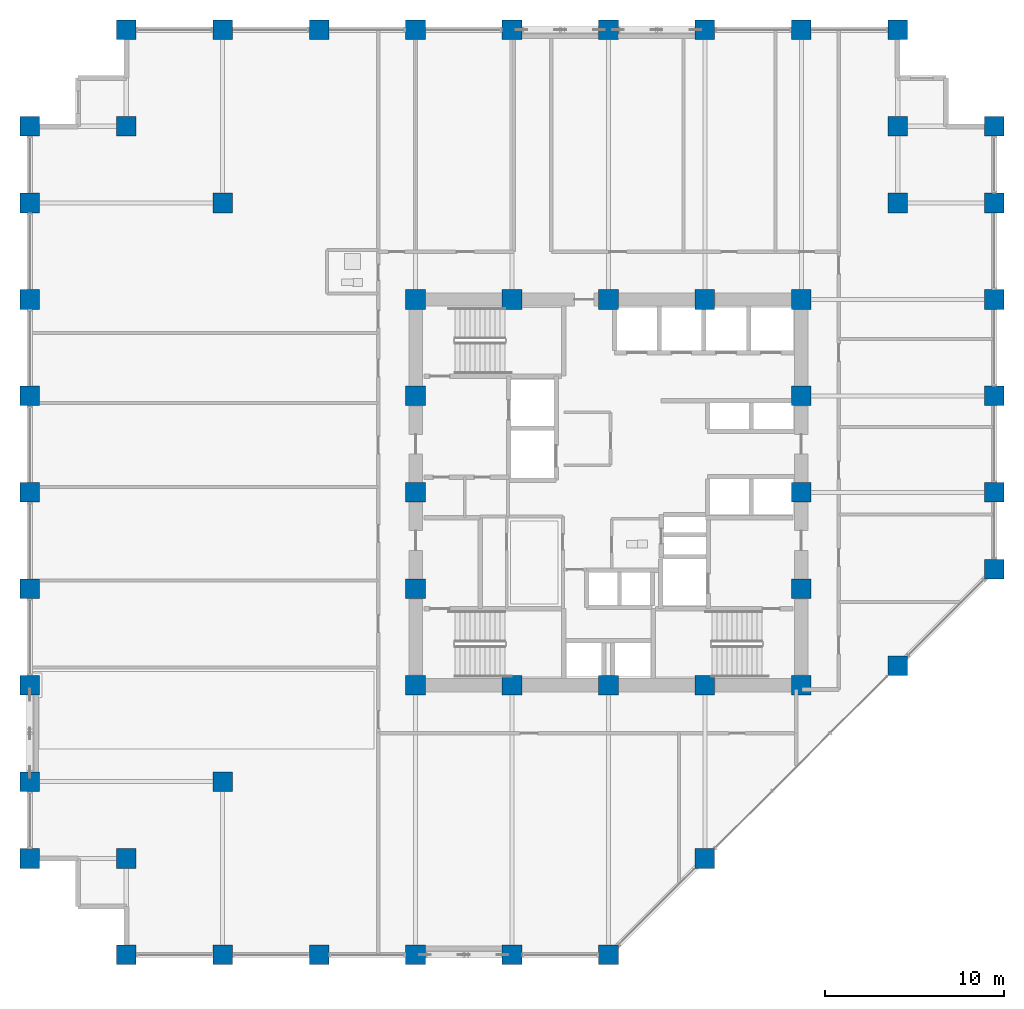
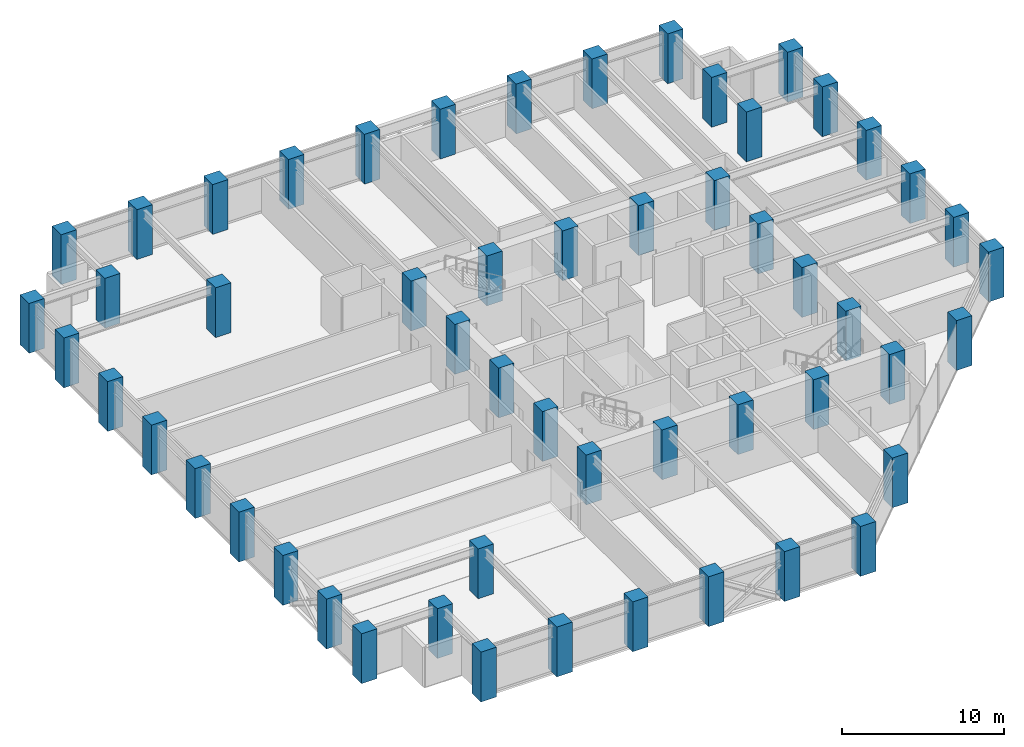
# One storey, part 1 of 25: 54 columns.
"""IFC4 building model written with IfcOpenShell, lengths in metres."""

from ifc_helpers import new_model, si_unit, direction, frame, origin, origin_2d, place, context, subcontext, project, spatial, rectangle, extrude, material, material_profile, profile_set, type_object, element, save


model = new_model("IFC4")

# Units and contexts
model_context = context("Model", 3, precision=1e-05, world=origin(), true_north=direction((0.0, 1.0)))
body_context = subcontext(model_context, "Body", "Model", "MODEL_VIEW")
ifc_project = project(units=[si_unit("LENGTHUNIT", "METRE"), si_unit("AREAUNIT", "SQUARE_METRE"), si_unit("VOLUMEUNIT", "CUBIC_METRE"), si_unit("PLANEANGLEUNIT", "RADIAN"), si_unit("MASSUNIT", "GRAM", prefix="KILO")], contexts=[model_context])

# Site, building, storey
site_placement = place(None, origin())
site = spatial("IfcSite", under=ifc_project, at=site_placement, CompositionType="ELEMENT")
building_placement = place(site_placement, origin())
building = spatial("IfcBuilding", under=site, at=building_placement, Name="Surkhivell Harbour Commons", CompositionType="ELEMENT")
storey_placement = place(building_placement, frame((0.0, 0.0, 113.25)))
storey = spatial("IfcBuildingStorey", under=building, at=storey_placement, Name="L29", CompositionType="ELEMENT", Elevation=113.25)

# Columns
ifc_material = material(Name="Concrete C60/75", Category="concrete")
ifc_material_profile = material_profile(ifc_material, rectangle(XDim=1.10009765625, YDim=1.10009765625, at=origin_2d()), Name="RC-COL-1100x1100")
ifc_profile_set = profile_set([ifc_material_profile], Name="Concrete C60/75")
column_type = type_object("IfcColumnType", Name="COL-TUBE-Z2A", PredefinedType="COLUMN", material=ifc_profile_set)
for number, where, z_axis, x_axis, name in (
    (1, (-32.39990234375, -20.5, 0.0), (0.0, 0.0, 1.0), (1.0, 0.0, 0.0), "L29 Column CT-2A (-32.4,-20.5)"),
    (2, (-32.39990234375, -16.199951171875, 0.0), (0.0, 0.0, 1.0), (1.0, 0.0, 0.0), "L29 Column CT-2A (-32.4,-16.2)"),
    (3, (-32.39990234375, -10.800048828125, 0.0), (0.0, 0.0, 1.0), (1.0, 0.0, 0.0), "L29 Column CT-2A (-32.4,-10.8)"),
    (4, (-32.39990234375, -5.39990234375, 0.0), (0.0, 0.0, 1.0), (1.0, 0.0, 0.0), "L29 Column CT-2A (-32.4,-5.4)"),
    (5, (-32.39990234375, 0.0, 0.0), (0.0, 0.0, 1.0), (1.0, 0.0, 0.0), "L29 Column CT-2A (-32.4,0.0)"),
    (6, (-32.39990234375, 5.39990234375, 0.0), (0.0, 0.0, 1.0), (1.0, 0.0, 0.0), "L29 Column CT-2A (-32.4,5.4)"),
    (7, (-32.39990234375, 10.800048828125, 0.0), (0.0, 0.0, 1.0), (1.0, 0.0, 0.0), "L29 Column CT-2A (-32.4,10.8)"),
    (8, (-32.39990234375, 16.199951171875, 0.0), (0.0, 0.0, 1.0), (1.0, 0.0, 0.0), "L29 Column CT-2A (-32.4,16.2)"),
    (9, (-32.39990234375, 20.5, 0.0), (0.0, 0.0, 1.0), (1.0, 0.0, 0.0), "L29 Column CT-2A (-32.4,20.5)"),
    (10, (-27.0, -25.89990234375, 0.0), (0.0, 0.0, 1.0), (1.0, 0.0, 0.0), "L29 Column CT-2A (-27.0,-25.9)"),
    (11, (-27.0, -20.5, 0.0), (0.0, 0.0, 1.0), (1.0, 0.0, 0.0), "L29 Column CT-2A (-27.0,-20.5)"),
    (12, (-27.0, 20.5, 0.0), (0.0, 0.0, 1.0), (1.0, 0.0, 0.0), "L29 Column CT-2A (-27.0,20.5)"),
    (13, (-27.0, 25.89990234375, 0.0), (0.0, 0.0, 1.0), (1.0, 0.0, 0.0), "L29 Column CT-2A (-27.0,25.9)"),
    (14, (-21.60009765625, -25.89990234375, 0.0), (0.0, 0.0, 1.0), (1.0, 0.0, 0.0), "L29 Column CT-2A (-21.6,-25.9)"),
    (15, (-21.60009765625, -16.199951171875, 0.0), (0.0, 0.0, 1.0), (1.0, 0.0, 0.0), "L29 Column CT-2A (-21.6,-16.2)"),
    (16, (-21.60009765625, 16.199951171875, 0.0), (0.0, 0.0, 1.0), (1.0, 0.0, 0.0), "L29 Column CT-2A (-21.6,16.2)"),
    (17, (-21.60009765625, 25.89990234375, 0.0), (0.0, 0.0, 1.0), (1.0, 0.0, 0.0), "L29 Column CT-2A (-21.6,25.9)"),
    (18, (-16.199951171875, -25.89990234375, 0.0), (0.0, 0.0, 1.0), (1.0, 0.0, 0.0), "L29 Column CT-2A (-16.2,-25.9)"),
    (19, (-16.199951171875, 25.89990234375, 0.0), (0.0, 0.0, 1.0), (1.0, 0.0, 0.0), "L29 Column CT-2A (-16.2,25.9)"),
    (20, (-10.800048828125, -25.89990234375, 0.0), (0.0, 0.0, 1.0), (1.0, 0.0, 0.0), "L29 Column CT-2A (-10.8,-25.9)"),
    (21, (-10.800048828125, -10.800048828125, 0.0), (0.0, 0.0, 1.0), (1.0, 0.0, 0.0), "L29 Column CT-2A (-10.8,-10.8)"),
    (22, (-10.800048828125, -5.39990234375, 0.0), (0.0, 0.0, 1.0), (1.0, 0.0, 0.0), "L29 Column CT-2A (-10.8,-5.4)"),
    (23, (-10.800048828125, 0.0, 0.0), (0.0, 0.0, 1.0), (1.0, 0.0, 0.0), "L29 Column CT-2A (-10.8,0.0)"),
    (24, (-10.800048828125, 5.39990234375, 0.0), (0.0, 0.0, 1.0), (1.0, 0.0, 0.0), "L29 Column CT-2A (-10.8,5.4)"),
    (25, (-10.800048828125, 10.800048828125, 0.0), (0.0, 0.0, 1.0), (1.0, 0.0, 0.0), "L29 Column CT-2A (-10.8,10.8)"),
    (26, (-10.800048828125, 25.89990234375, 0.0), (0.0, 0.0, 1.0), (1.0, 0.0, 0.0), "L29 Column CT-2A (-10.8,25.9)"),
    (27, (-5.39990234375, -25.89990234375, 0.0), (0.0, 0.0, 1.0), (1.0, 0.0, 0.0), "L29 Column CT-2A (-5.4,-25.9)"),
    (28, (-5.39990234375, -10.800048828125, 0.0), (0.0, 0.0, 1.0), (1.0, 0.0, 0.0), "L29 Column CT-2A (-5.4,-10.8)"),
    (29, (-5.39990234375, 10.800048828125, 0.0), (0.0, 0.0, 1.0), (1.0, 0.0, 0.0), "L29 Column CT-2A (-5.4,10.8)"),
    (30, (-5.39990234375, 25.89990234375, 0.0), (0.0, 0.0, 1.0), (1.0, 0.0, 0.0), "L29 Column CT-2A (-5.4,25.9)"),
    (31, (0.0, -25.89990234375, 0.0), (0.0, 0.0, 1.0), (1.0, 0.0, 0.0), "L29 Column CT-2A (-0.0,-25.9)"),
    (32, (0.0, -10.800048828125, 0.0), (0.0, 0.0, 1.0), (1.0, 0.0, 0.0), "L29 Column CT-2A (0.0,-10.8)"),
    (33, (0.0, 10.800048828125, 0.0), (0.0, 0.0, 1.0), (1.0, 0.0, 0.0), "L29 Column CT-2A (0.0,10.8)"),
    (34, (0.0, 25.89990234375, 0.0), (0.0, 0.0, 1.0), (1.0, 0.0, 0.0), "L29 Column CT-2A (-0.0,25.9)"),
    (35, (5.39990234375, -20.5, 0.0), (0.0, 0.0, 1.0), (1.0, 0.0, 0.0), "L29 Column CT-2A (5.4,-20.5)"),
    (36, (5.39990234375, -10.800048828125, 0.0), (0.0, 0.0, 1.0), (1.0, 0.0, 0.0), "L29 Column CT-2A (5.4,-10.8)"),
    (37, (5.39990234375, 10.800048828125, 0.0), (0.0, 0.0, 1.0), (1.0, 0.0, 0.0), "L29 Column CT-2A (5.4,10.8)"),
    (38, (5.39990234375, 25.89990234375, 0.0), (0.0, 0.0, 1.0), (1.0, 0.0, 0.0), "L29 Column CT-2A (5.4,25.9)"),
    (39, (10.800048828125, -10.800048828125, 0.0), (0.0, 0.0, 1.0), (1.0, 0.0, 0.0), "L29 Column CT-2A (10.8,-10.8)"),
    (40, (10.800048828125, -5.39990234375, 0.0), (0.0, 0.0, 1.0), (1.0, 0.0, 0.0), "L29 Column CT-2A (10.8,-5.4)"),
    (41, (10.800048828125, 0.0, 0.0), (0.0, 0.0, 1.0), (1.0, 0.0, 0.0), "L29 Column CT-2A (10.8,0.0)"),
    (42, (10.800048828125, 5.39990234375, 0.0), (0.0, 0.0, 1.0), (1.0, 0.0, 0.0), "L29 Column CT-2A (10.8,5.4)"),
    (43, (10.800048828125, 10.800048828125, 0.0), (0.0, 0.0, 1.0), (1.0, 0.0, 0.0), "L29 Column CT-2A (10.8,10.8)"),
    (44, (10.800048828125, 25.89990234375, 0.0), (0.0, 0.0, 1.0), (1.0, 0.0, 0.0), "L29 Column CT-2A (10.8,25.9)"),
    (45, (16.199951171875, -9.699951171875, 0.0), (0.0, 0.0, 1.0), (1.0, 0.0, 0.0), "L29 Column CT-2A (16.2,-9.7)"),
    (46, (16.199951171875, 16.199951171875, 0.0), (0.0, 0.0, 1.0), (1.0, 0.0, 0.0), "L29 Column CT-2A (16.2,16.2)"),
    (47, (16.199951171875, 20.5, 0.0), (0.0, 0.0, 1.0), (1.0, 0.0, 0.0), "L29 Column CT-2A (16.2,20.5)"),
    (48, (16.199951171875, 25.89990234375, 0.0), (0.0, 0.0, 1.0), (1.0, 0.0, 0.0), "L29 Column CT-2A (16.2,25.9)"),
    (49, (21.60009765625, -4.300048828125, 0.0), (0.0, 0.0, 1.0), (1.0, 0.0, 0.0), "L29 Column CT-2A (21.6,-4.3)"),
    (50, (21.60009765625, 0.0, 0.0), (0.0, 0.0, 1.0), (1.0, 0.0, 0.0), "L29 Column CT-2A (21.6,0.0)"),
    (51, (21.60009765625, 5.39990234375, 0.0), (0.0, 0.0, 1.0), (1.0, 0.0, 0.0), "L29 Column CT-2A (21.6,5.4)"),
    (52, (21.60009765625, 10.800048828125, 0.0), (0.0, 0.0, 1.0), (1.0, 0.0, 0.0), "L29 Column CT-2A (21.6,10.8)"),
    (53, (21.60009765625, 16.199951171875, 0.0), (0.0, 0.0, 1.0), (1.0, 0.0, 0.0), "L29 Column CT-2A (21.6,16.2)"),
    (54, (21.60009765625, 20.5, 0.0), (0.0, 0.0, 1.0), (1.0, 0.0, 0.0), "L29 Column CT-2A (21.6,20.5)"),
):
    element("IfcColumn", number, at=place(storey_placement, frame(where, z_axis=z_axis, x_axis=x_axis)), inside=storey, type_object=column_type, Name=name, PredefinedType="COLUMN", context=body_context, shape_type="SweptSolid", body=[
        extrude(rectangle(XDim=1.10009765625, YDim=1.10009765625, at=origin_2d()), origin(), (0.0, 0.0, 1.0), 3.75),
    ])

save(model, "model.ifc")
